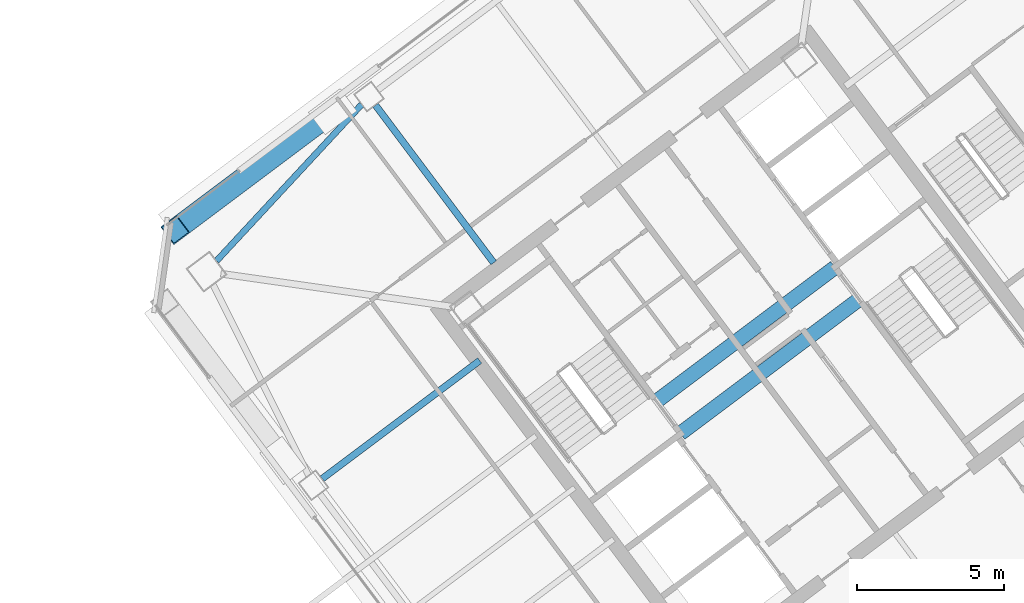
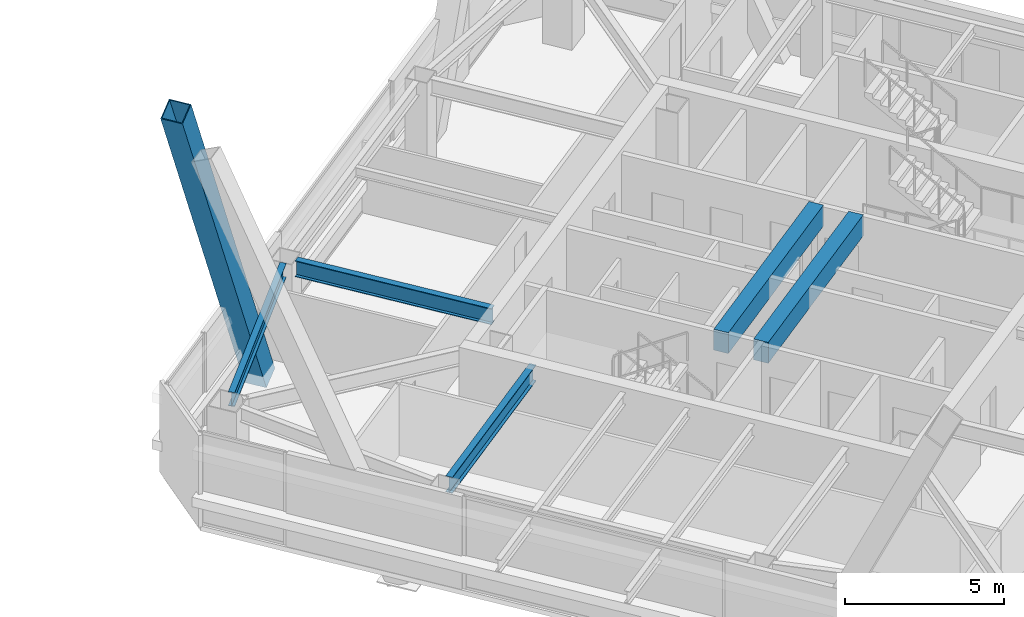
# One storey, part 33 of 56: 5 beams, 1 member.
"""IFC4 building model written with IfcOpenShell, lengths in metres."""

import ifcopenshell
import ifcopenshell.guid

model = None  # the IFC model being written
_history = None  # IfcOwnerHistory: only IFC2X3 demands one
_inside = {}  # id of a spatial element -> (the spatial element, [elements in it])
_under = {}  # id of a project, library or spatial element -> (it, [spatial elements below it])
_declared = {}  # id of a project -> (the project, [libraries it declares])
_typed = {}  # id of a type object -> (the type object, [elements of that type])
_made_of = {}  # id of a material, layer set ... -> (it, [elements and type objects made of it])


def new_model(schema):
    """Start an empty IFC model of exactly this schema.

    Asked for "IFC4X3", IfcOpenShell would pick the latest addendum, in which some entities
    have other attributes; the version numbers below select the first issue.
    IFC2X3 requires an IfcOwnerHistory on every rooted entity: one is made here for all.
    """
    global model, _history
    if schema == "IFC4X3":
        model = ifcopenshell.file(schema_version=(4, 3, 0, 0))
    else:
        model = ifcopenshell.file(schema=schema)
    _inside.clear()
    _under.clear()
    _declared.clear()
    _typed.clear()
    _made_of.clear()
    _history = None
    if model.schema == "IFC2X3":
        org = make("IfcOrganization", Name="unknown")
        user = make(
            "IfcPersonAndOrganization",
            ThePerson=make("IfcPerson", FamilyName="unknown"),
            TheOrganization=org,
        )
        app = make(
            "IfcApplication",
            ApplicationDeveloper=org,
            Version="unknown",
            ApplicationFullName="unknown",
            ApplicationIdentifier="unknown",
        )
        _history = make(
            "IfcOwnerHistory",
            OwningUser=user,
            OwningApplication=app,
            ChangeAction="ADDED",
            CreationDate=0,
        )
    return model


def make(cls, **values):
    """One entity of the class cls with the attributes given. An attribute that is None is left unset."""
    return model.create_entity(
        cls, **{name: value for name, value in values.items() if value is not None}
    )


def rooted(cls, **values):
    """An entity with a GlobalId (a new one), such as an element, a storey or a relation."""
    return make(cls, GlobalId=ifcopenshell.guid.new(), OwnerHistory=_history, **values)


def si_unit(unit_type, name, prefix=None):
    """IfcSIUnit, for example si_unit("LENGTHUNIT", "METRE", prefix="MILLI")."""
    return make("IfcSIUnit", UnitType=unit_type, Prefix=prefix, Name=name)


def assignment(units):
    """IfcUnitAssignment: the units of a project."""
    return None if units is None else make("IfcUnitAssignment", Units=units)


def point(xyz):
    """IfcCartesianPoint."""
    return None if xyz is None else make("IfcCartesianPoint", Coordinates=xyz)


def direction(xyz):
    """IfcDirection."""
    return None if xyz is None else make("IfcDirection", DirectionRatios=xyz)


def frame(location, z_axis=None, x_axis=None):
    """IfcAxis2Placement3D, a coordinate frame: its origin and axes. An axis left out is left unset."""
    return make(
        "IfcAxis2Placement3D",
        Location=point(location),
        Axis=direction(z_axis),
        RefDirection=direction(x_axis),
    )


def frame_2d(location, x_axis=None):
    """IfcAxis2Placement2D, a coordinate frame in the plane: its origin and x axis."""
    return make(
        "IfcAxis2Placement2D", Location=point(location), RefDirection=direction(x_axis)
    )


def origin():
    """The frame at (0, 0, 0) with its axes left unset."""
    return frame((0.0, 0.0, 0.0))


def origin_2d():
    """The frame at (0, 0) in the plane with its x axis left unset."""
    return frame_2d((0.0, 0.0))


def place(relative_to, where):
    """IfcLocalPlacement: puts the frame where relative to a parent placement (None: the world)."""
    return make(
        "IfcLocalPlacement", PlacementRelTo=relative_to, RelativePlacement=where
    )


def context(
    kind, dimensions, precision=None, world=None, true_north=None, identifier=None
):
    """IfcGeometricRepresentationContext, for example the 3D "Model" context."""
    return make(
        "IfcGeometricRepresentationContext",
        ContextIdentifier=identifier,
        ContextType=kind,
        CoordinateSpaceDimension=dimensions,
        Precision=precision,
        WorldCoordinateSystem=world,
        TrueNorth=true_north,
    )


def subcontext(parent, identifier, kind, view, scale=None):
    """IfcGeometricRepresentationSubContext, for example "Body" below "Model"."""
    return make(
        "IfcGeometricRepresentationSubContext",
        ContextIdentifier=identifier,
        ContextType=kind,
        ParentContext=parent,
        TargetScale=scale,
        TargetView=view,
    )


def project(units=None, contexts=None):
    """IfcProject with its units and contexts."""
    return rooted(
        "IfcProject",
        Name="project",
        RepresentationContexts=contexts,
        UnitsInContext=assignment(units),
    )


def spatial(cls, under=None, at=None, **own):
    """A site, building, storey or space (cls), placed at a placement, below another one or the project."""
    s = rooted(cls, ObjectPlacement=at, **own)
    if under is not None:
        _under.setdefault(under.id(), (under, []))[1].append(s)
    return s


def profile(cls, at=None, kind="AREA", **sizes):
    """A parametric profile (cls). Its sizes go by their IFC names, for example OverallWidth=200.0."""
    return make(cls, ProfileType=kind, Position=at, **sizes)


def rectangle(**sizes):
    """IfcRectangleProfileDef."""
    return profile("IfcRectangleProfileDef", **sizes)


def hollow_rectangle(**sizes):
    """IfcRectangleHollowProfileDef."""
    return profile("IfcRectangleHollowProfileDef", **sizes)


def i_section(**sizes):
    """IfcIShapeProfileDef."""
    return profile("IfcIShapeProfileDef", **sizes)


def extrude(swept, where, along, depth):
    """IfcExtrudedAreaSolid: the profile swept, set in the frame where, extruded along a direction by depth."""
    return make(
        "IfcExtrudedAreaSolid",
        SweptArea=swept,
        Position=where,
        ExtrudedDirection=direction(along),
        Depth=depth,
    )


def shape(context_of_items, identifier, shape_type, items):
    """IfcShapeRepresentation: the items that make up one representation, for example the "Body"."""
    return make(
        "IfcShapeRepresentation",
        ContextOfItems=context_of_items,
        RepresentationIdentifier=identifier,
        RepresentationType=shape_type,
        Items=items,
    )


def material(Name=None, Category=None):
    """IfcMaterial."""
    return make("IfcMaterial", Name=Name, Category=Category)


def material_profile(
    of_material, cross_section, Name=None, Category=None, Priority=None
):
    """IfcMaterialProfile: a cross section and its material."""
    return make(
        "IfcMaterialProfile",
        Name=Name,
        Material=of_material,
        Profile=cross_section,
        Priority=Priority,
        Category=Category,
    )


def profile_set(profiles, Name=None, composite=None):
    """IfcMaterialProfileSet."""
    return make(
        "IfcMaterialProfileSet",
        Name=Name,
        MaterialProfiles=profiles,
        CompositeProfile=composite,
    )


def made_of(thing, what):
    """Note that an element or type object is made of a material, layer set ...; save() writes the relation."""
    if what is not None:
        _made_of.setdefault(what.id(), (what, []))[1].append(thing)
    return thing


def type_object(cls, material=None, **own):
    """A type object (cls), such as IfcWallType, which elements share."""
    return made_of(rooted(cls, **own), material)


def element(
    cls,
    number,
    at=None,
    inside=None,
    cuts=None,
    type_object=None,
    material=None,
    context=None,
    identifier="Body",
    shape_type=None,
    held_by="IfcProductDefinitionShape",
    body=None,
    shapes=None,
    **own,
):
    """One element of the class cls, such as IfcWall. Its Tag is "e" and its number.

    at: its placement. inside: the storey or other place that contains it. cuts: it is an
    opening in that element (IfcRelVoidsElement). A single representation is given by context,
    identifier, shape_type and body (its items); several are given by shapes. held_by: the class
    of the entity that holds the representations. save() writes the other relations.
    """
    e = rooted(cls, Tag="e%d" % number, ObjectPlacement=at, **own)
    if body is not None:
        shapes = [shape(context, identifier, shape_type, body)]
    if shapes is not None:
        e.Representation = make(held_by, Representations=shapes)
    if inside is not None:
        _inside.setdefault(inside.id(), (inside, []))[1].append(e)
    if cuts is not None:
        rooted(
            "IfcRelVoidsElement", RelatingBuildingElement=cuts, RelatedOpeningElement=e
        )
    if type_object is not None:
        _typed.setdefault(type_object.id(), (type_object, []))[1].append(e)
    return made_of(e, material)


def aggregate(whole, parts):
    """IfcRelAggregates: a whole, such as a stair, and the parts it consists of."""
    return rooted("IfcRelAggregates", RelatingObject=whole, RelatedObjects=parts)


def save(model, path):
    """Write the relations noted so far, then the file.

    IfcRelAggregates (storeys below a building ...), IfcRelContainedInSpatialStructure (elements
    in a storey), IfcRelDefinesByType, IfcRelAssociatesMaterial and IfcRelDeclares: one each for
    every whole, place, type object, material and project.
    """
    for whole, parts in _under.values():
        aggregate(whole, parts)
    for where, things in _inside.values():
        rooted(
            "IfcRelContainedInSpatialStructure",
            RelatedElements=things,
            RelatingStructure=where,
        )
    for kind, things in _typed.values():
        rooted("IfcRelDefinesByType", RelatedObjects=things, RelatingType=kind)
    for what, things in _made_of.values():
        rooted("IfcRelAssociatesMaterial", RelatedObjects=things, RelatingMaterial=what)
    for by, libraries in _declared.values():
        rooted("IfcRelDeclares", RelatingContext=by, RelatedDefinitions=libraries)
    model.write(path)


model = new_model("IFC4")

# Units and contexts
model_context = context("Model", 3, precision=1e-05, world=origin(), true_north=direction((0.0, 1.0)))
body_context = subcontext(model_context, "Body", "Model", "MODEL_VIEW")
ifc_project = project(units=[si_unit("LENGTHUNIT", "METRE"), si_unit("AREAUNIT", "SQUARE_METRE"), si_unit("VOLUMEUNIT", "CUBIC_METRE"), si_unit("PLANEANGLEUNIT", "RADIAN"), si_unit("MASSUNIT", "GRAM", prefix="KILO")], contexts=[model_context])

# Site, building, storey
site_placement = place(None, origin())
site = spatial("IfcSite", under=ifc_project, at=site_placement, CompositionType="ELEMENT")
building_placement = place(site_placement, origin())
building = spatial("IfcBuilding", under=site, at=building_placement, Name="Tashvorn Skyway Center", CompositionType="ELEMENT")
storey_placement = place(building_placement, frame((0.0, 0.0, 218.39990234375)))
storey = spatial("IfcBuildingStorey", under=building, at=storey_placement, Name="L59", CompositionType="ELEMENT", Elevation=218.39990234375)

# Beams
ifc_material_1 = material(Name="Steel ASTM A992 Grade 50", Category="steel")
ifc_material_profile_1 = material_profile(ifc_material_1, i_section(OverallWidth=0.22998046875, OverallDepth=0.616943359375, WebThickness=0.01318359375, FlangeThickness=0.022216796875, at=origin_2d()), Name="W24X94")
ifc_profile_set_1 = profile_set([ifc_material_profile_1], Name="Steel ASTM A992 Grade 50")
beam_type_1 = type_object("IfcBeamType", Name="BM-BEAM-W24X94", PredefinedType="BEAM", material=ifc_profile_set_1)
beam_1_placement = place(storey_placement, frame((100.991943359375, 40.343994140625, 3.0615234375), z_axis=(0.599994169845, -0.800004372583, 0.0), x_axis=(0.800004372583, 0.599994169845, 0.0)))
element("IfcBeam", 1, at=beam_1_placement, inside=storey, type_object=beam_type_1, Name="Tower 2 L59 Primary Floor Girder FC-N2", PredefinedType="BEAM", context=body_context, shape_type="SweptSolid", body=[
    extrude(i_section(OverallWidth=0.22998046875, OverallDepth=0.616943359375, WebThickness=0.01318359375, FlangeThickness=0.022216796875, at=origin_2d()), origin(), (0.0, 0.0, 1.0), 6.7001953125),
])
beam_2_placement = place(storey_placement, frame((99.176025390625, 27.632080078125, 3.0615234375), z_axis=(0.799991254452, 0.600011660554, 0.0), x_axis=(-0.600011660554, 0.799991254452, 0.0)))
element("IfcBeam", 2, at=beam_2_placement, inside=storey, type_object=beam_type_1, Name="Tower 2 L59 Primary Floor Girder FC-W1", PredefinedType="BEAM", context=body_context, shape_type="SweptSolid", body=[
    extrude(i_section(OverallWidth=0.22998046875, OverallDepth=0.616943359375, WebThickness=0.01318359375, FlangeThickness=0.022216796875, at=origin_2d()), origin(), (0.0, 0.0, 1.0), 6.699951171875),
])
ifc_material_2 = material(Name="Concrete C50/60", Category="concrete")
ifc_material_profile_2 = material_profile(ifc_material_2, rectangle(XDim=0.5, YDim=0.800048828125, at=origin_2d()), Name="RCB500x800")
ifc_profile_set_2 = profile_set([ifc_material_profile_2], Name="Concrete C50/60")
beam_type_2 = type_object("IfcBeamType", Name="BM-LINTEL-RCB500x800", PredefinedType="LINTEL", material=ifc_profile_set_2)
for number, where, z_axis, x_axis, name in (
    (3, (110.552001953125, 30.263916015625, 2.97021484375), (0.8, 0.6, 0.0), (-0.6, 0.8, 0.0), "Tower 2 L59 Core Coupling Beam CN"),
    (4, (111.367919921875, 29.176025390625, 2.97021484375), (0.8, 0.6, 0.0), (-0.6, 0.8, 0.0), "Tower 2 L59 Core Coupling Beam CS"),
):
    element("IfcBeam", number, at=place(storey_placement, frame(where, z_axis=z_axis, x_axis=x_axis)), inside=storey, type_object=beam_type_2, Name=name, PredefinedType="LINTEL", context=body_context, shape_type="SweptSolid", body=[
        extrude(rectangle(XDim=0.5, YDim=0.800048828125, at=origin_2d()), origin(), (0.0, 0.0, 1.0), 7.60009765625),
    ])
ifc_material_profile_3 = material_profile(ifc_material_1, i_section(OverallWidth=0.2109375, OverallDepth=0.5390625, WebThickness=0.01171875, FlangeThickness=0.018798828125, at=origin_2d()), Name="W21X73")
ifc_profile_set_3 = profile_set([ifc_material_profile_3], Name="Steel ASTM A992 Grade 50")
beam_type_3 = type_object("IfcBeamType", Name="BM-SPANDREL-W21X73", PredefinedType="SPANDREL", material=ifc_profile_set_3)
beam_3_placement = place(storey_placement, frame((100.518310546875, 40.36865234375, 3.1005859375), z_axis=(-0.680182956622, -0.733042389989, 0.0), x_axis=(0.733042389989, -0.680182956622, 0.0)))
element("IfcBeam", 5, at=beam_3_placement, inside=storey, type_object=beam_type_3, Name="Tower 2 L59 Spandrel Beam 09", PredefinedType="SPANDREL", context=body_context, shape_type="SweptSolid", body=[
    extrude(i_section(OverallWidth=0.2109375, OverallDepth=0.5390625, WebThickness=0.01171875, FlangeThickness=0.018798828125, at=origin_2d()), origin(), (0.0, 0.0, 1.0), 7.26513671875),
])

# Member
ifc_material_3 = material(Name="Steel ASTM A572 Grade 50", Category="steel")
ifc_material_profile_4 = material_profile(ifc_material_3, hollow_rectangle(XDim=0.75, YDim=0.75, WallThickness=0.031982421875, at=origin_2d()), Name="BOX750x750x32")
ifc_profile_set_4 = profile_set([ifc_material_profile_4], Name="Steel ASTM A572 Grade 50")
member_type = type_object("IfcMemberType", Name="MEM-MB-750", PredefinedType="BRACE", material=ifc_profile_set_4)
member_placement = place(storey_placement, frame((99.531982421875, 40.1240234375, -0.449951171875), z_axis=(-0.337085066741, -0.252821477132, 0.906893024828), x_axis=(0.600011660554, -0.799991254452, 0.0)))
element("IfcMember", 6, at=member_placement, inside=storey, type_object=member_type, Name="Tower 2 Zone 5 N Chevron Mega-Brace R2", PredefinedType="BRACE", context=body_context, shape_type="SweptSolid", body=[
    extrude(hollow_rectangle(XDim=0.75, YDim=0.75, WallThickness=0.031982421875, at=origin_2d()), origin(), (0.0, 0.0, 1.0), 15.900634765625),
])

save(model, "model.ifc")
